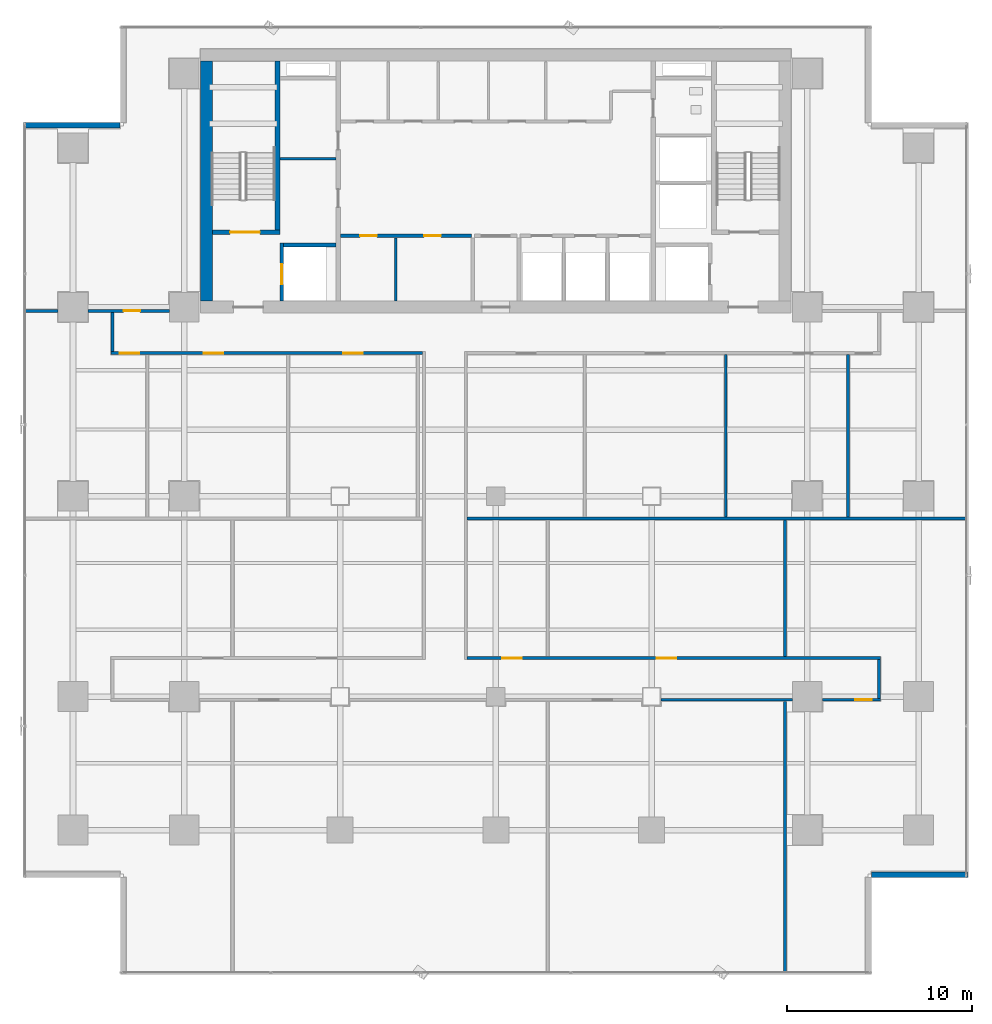
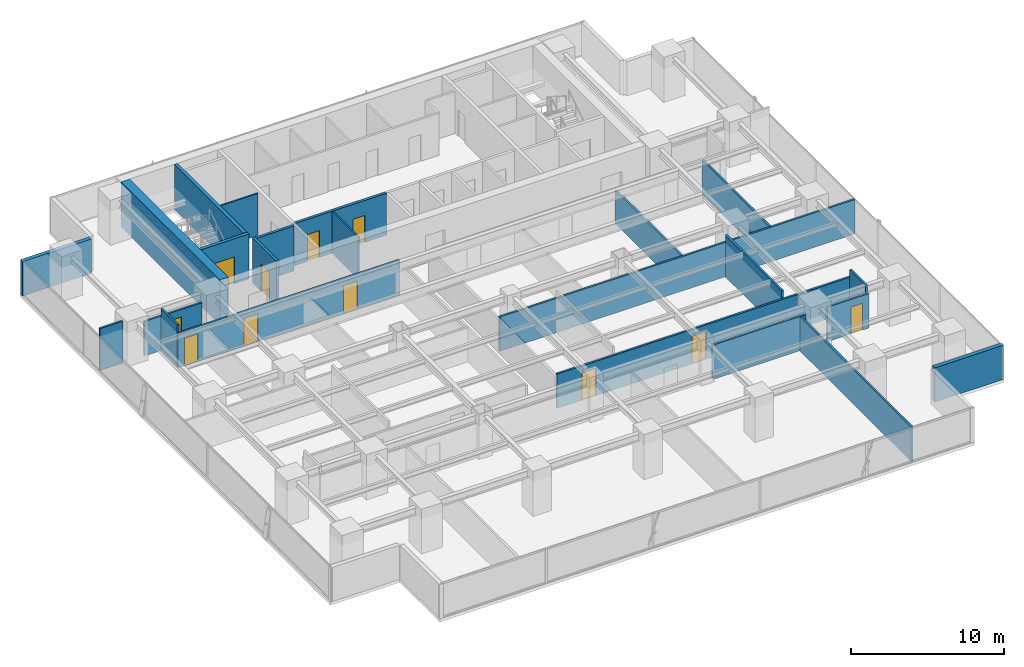
# One storey, part 28 of 37: 23 walls, 11 doors, 11 openings.
"""IFC4 building model written with IfcOpenShell, lengths in metres."""

from ifc_helpers import new_model, si_unit, direction, frame, frame_2d, origin, place, context, subcontext, project, spatial, rectangle, extrude, source, transform, mapped, material, layer, layer_set, type_object, element, fill, save


model = new_model("IFC4")

# Units and contexts
model_context = context("Model", 3, precision=1e-05, world=origin(), true_north=direction((0.0, 1.0)))
body_context = subcontext(model_context, "Body", "Model", "MODEL_VIEW")
ifc_project = project(units=[si_unit("LENGTHUNIT", "METRE"), si_unit("AREAUNIT", "SQUARE_METRE"), si_unit("VOLUMEUNIT", "CUBIC_METRE"), si_unit("PLANEANGLEUNIT", "RADIAN"), si_unit("MASSUNIT", "GRAM", prefix="KILO")], contexts=[model_context])

# Site, building, storey
site_placement = place(None, origin())
site = spatial("IfcSite", under=ifc_project, at=site_placement, CompositionType="ELEMENT")
building_placement = place(site_placement, origin())
building = spatial("IfcBuilding", under=site, at=building_placement, Name="Sumidabori Civic Tower", CompositionType="ELEMENT")
storey_placement = place(building_placement, frame((0.0, 0.0, 95.60009765625)))
storey = spatial("IfcBuildingStorey", under=building, at=storey_placement, Name="L24", CompositionType="ELEMENT", Elevation=95.60009765625)

# Walls
ifc_material_1 = material(Name="Concrete C50/60", Category="concrete")
ifc_layer_1 = layer(ifc_material_1, 0.199951171875, Name="Concrete C50/60")
ifc_layer_set_1 = layer_set([ifc_layer_1], Name="Concrete C50/60")
wall_type_1 = type_object("IfcWallType", Name="WL-SHAFT-200", PredefinedType="SHEAR", material=ifc_layer_set_1)
shared_shape_1 = source(origin(), body_context, "Body", "SweptSolid", [
    extrude(rectangle(XDim=2.824951171875, YDim=0.199951171875, at=frame_2d((1.41259765625, 0.0))), origin(), (0.0, 0.0, 1.0), 3.599853515625),
])
wall_1_placement = place(storey_placement, frame((-11.449951171875, 13.550048828125, 0.0), z_axis=(0.0, 0.0, 1.0), x_axis=(1.0, 0.0, 0.0)))
element("IfcWall", 1, at=wall_1_placement, inside=storey, type_object=wall_type_1, Name="Core Shear Wall L24 EL1-N", PredefinedType="SHEAR", context=body_context, shape_type="MappedRepresentation", body=[
    mapped(shared_shape_1, transform((0.0, 0.0, 0.0), x_axis=(1.0, 0.0, 0.0), y_axis=(0.0, 1.0, 0.0), z_axis=(0.0, 0.0, 1.0), scale=1.0)),
])
ifc_material_2 = material(Name="Concrete C60/75", Category="concrete")
ifc_layer_2 = layer(ifc_material_2, 0.64990234375, Name="Concrete C60/75")
ifc_layer_set_2 = layer_set([ifc_layer_2], Name="Concrete C60/75")
wall_type_2 = type_object("IfcWallType", Name="WL-CORE-650", PredefinedType="SHEAR", material=ifc_layer_set_2)
shared_shape_2 = source(origin(), body_context, "Body", "SweptSolid", [
    extrude(rectangle(XDim=12.9501953125, YDim=0.64990234375, at=frame_2d((6.47509765625, 0.0))), origin(), (0.0, 0.0, 1.0), 3.599853515625),
])
wall_2_placement = place(storey_placement, frame((-15.60009765625, 10.52490234375, 0.0), z_axis=(0.0, 0.0, 1.0), x_axis=(0.0, 1.0, 0.0)))
element("IfcWall", 2, at=wall_2_placement, inside=storey, type_object=wall_type_2, Name="Core Shear Wall L24 W", PredefinedType="SHEAR", context=body_context, shape_type="MappedRepresentation", body=[
    mapped(shared_shape_2, transform((0.0, 0.0, 0.0), x_axis=(1.0, 0.0, 0.0), y_axis=(0.0, 1.0, 0.0), z_axis=(0.0, 0.0, 1.0), scale=1.0)),
])

# Wall, opening, door
ifc_layer_3 = layer(ifc_material_1, 0.25, Name="Concrete C50/60")
ifc_layer_set_3 = layer_set([ifc_layer_3], Name="Concrete C50/60")
wall_type_3 = type_object("IfcWallType", Name="WL-SHAFT-250", PredefinedType="SHEAR", material=ifc_layer_set_3)
shared_shape_3 = source(origin(), body_context, "Body", "SweptSolid", [
    extrude(rectangle(XDim=3.6298828125, YDim=0.25, at=frame_2d((1.81494140625, 0.0))), origin(), (0.0, 0.0, 1.0), 3.599853515625),
])
wall_3_placement = place(storey_placement, frame((-15.27490234375, 14.25, 0.0), z_axis=(0.0, 0.0, 1.0), x_axis=(1.0, 0.0, 0.0)))
wall_3 = element("IfcWall", 3, at=wall_3_placement, inside=storey, type_object=wall_type_3, Name="Core Shear Wall L24 ST1-S", PredefinedType="SHEAR", context=body_context, shape_type="MappedRepresentation", body=[
    mapped(shared_shape_3, transform((0.0, 0.0, 0.0), x_axis=(1.0, 0.0, 0.0), y_axis=(0.0, 1.0, 0.0), z_axis=(0.0, 0.0, 1.0), scale=1.0)),
])
opening_1_placement = place(wall_3_placement, frame((0.949951171875, 0.0, 0.0)))
opening_1 = element("IfcOpeningElement", 4, at=opening_1_placement, cuts=wall_3, Name="Opening DR-FD4", PredefinedType="OPENING", context=body_context, shape_type="SweptSolid", body=[
    extrude(rectangle(XDim=1.60009765625, YDim=2.14990234375, at=frame_2d((0.800048828125, 1.074951171875))), frame((0.0, 0.136962890625, 0.0), z_axis=(0.0, -1.0, 0.0), x_axis=(1.0, 0.0, 0.0)), (0.0, 0.0, 1.0), 0.27392578125),
])
ifc_material_3 = material(Name="Steel SN490", Category="steel")
door_type_1 = type_object("IfcDoorType", Name="DR-FD4", OperationType="DOUBLE_DOOR_SINGLE_SWING", PredefinedType="DOOR", material=ifc_material_3)
shared_shape_4 = source(origin(), body_context, "Body", "SweptSolid", [
    extrude(rectangle(XDim=1.60009765625, YDim=2.14990234375, at=frame_2d((0.800048828125, 1.074951171875))), frame((0.0, 0.02490234375, 0.0), z_axis=(0.0, -1.0, 0.0), x_axis=(1.0, 0.0, 0.0)), (0.0, 0.0, 1.0), 0.050048828125),
])
door_1_placement = place(opening_1_placement, origin())
door_1 = element("IfcDoor", 5, at=door_1_placement, inside=storey, type_object=door_type_1, Name="Door DR:L24:ST1", OperationType="DOUBLE_DOOR_SINGLE_SWING", OverallHeight=2.14990234375, OverallWidth=1.60009765625, PredefinedType="DOOR", context=body_context, shape_type="MappedRepresentation", body=[
    mapped(shared_shape_4, transform((0.0, 0.0, 0.0), x_axis=(1.0, 0.0, 0.0), y_axis=(0.0, 1.0, 0.0), z_axis=(0.0, 0.0, 1.0), scale=1.0)),
])
fill(opening_1, door_1)

# Wall
shared_shape_5 = source(origin(), body_context, "Body", "SweptSolid", [
    extrude(rectangle(XDim=9.10009765625, YDim=0.25, at=frame_2d((4.550048828125, 0.0))), origin(), (0.0, 0.0, 1.0), 3.599853515625),
])
wall_4_placement = place(storey_placement, frame((-11.77001953125, 14.375, 0.0), z_axis=(0.0, 0.0, 1.0), x_axis=(0.0, 1.0, 0.0)))
element("IfcWall", 6, at=wall_4_placement, inside=storey, type_object=wall_type_3, Name="Core Shear Wall L24 ST1-E", PredefinedType="SHEAR", context=body_context, shape_type="MappedRepresentation", body=[
    mapped(shared_shape_5, transform((0.0, 0.0, 0.0), x_axis=(1.0, 0.0, 0.0), y_axis=(0.0, 1.0, 0.0), z_axis=(0.0, 0.0, 1.0), scale=1.0)),
])

# Wall, opening, door
shared_shape_6 = source(origin(), body_context, "Body", "SweptSolid", [
    extrude(rectangle(XDim=3.125, YDim=0.199951171875, at=frame_2d((1.5625, 0.0))), origin(), (0.0, 0.0, 1.0), 3.599853515625),
])
wall_5_placement = place(storey_placement, frame((-11.550048828125, 10.52490234375, 0.0), z_axis=(0.0, 0.0, 1.0), x_axis=(0.0, 1.0, 0.0)))
wall_5 = element("IfcWall", 7, at=wall_5_placement, inside=storey, type_object=wall_type_1, Name="Core Shear Wall L24 EL1-W", PredefinedType="SHEAR", context=body_context, shape_type="MappedRepresentation", body=[
    mapped(shared_shape_6, transform((0.0, 0.0, 0.0), x_axis=(1.0, 0.0, 0.0), y_axis=(0.0, 1.0, 0.0), z_axis=(0.0, 0.0, 1.0), scale=1.0)),
])
opening_2_placement = place(wall_5_placement, frame((0.89990234375, 0.0, 0.0)))
opening_2 = element("IfcOpeningElement", 8, at=opening_2_placement, cuts=wall_5, Name="Opening LD-2", PredefinedType="OPENING", context=body_context, shape_type="SweptSolid", body=[
    extrude(rectangle(XDim=1.10009765625, YDim=2.14990234375, at=frame_2d((0.550048828125, 1.074951171875))), frame((0.0, 0.11181640625, 0.0), z_axis=(0.0, -1.0, 0.0), x_axis=(1.0, 0.0, 0.0)), (0.0, 0.0, 1.0), 0.223876953125),
])
ifc_material_4 = material(Name="Stainless Steel Hairline Finish", Category="steel")
door_type_2 = type_object("IfcDoorType", Name="DR-LD2", OperationType="DOUBLE_DOOR_SLIDING", PredefinedType="DOOR", material=ifc_material_4)
shared_shape_7 = source(origin(), body_context, "Body", "SweptSolid", [
    extrude(rectangle(XDim=1.10009765625, YDim=2.14990234375, at=frame_2d((0.550048828125, 1.074951171875))), frame((0.0, 0.02490234375, 0.0), z_axis=(0.0, -1.0, 0.0), x_axis=(1.0, 0.0, 0.0)), (0.0, 0.0, 1.0), 0.050048828125),
])
door_2_placement = place(opening_2_placement, origin())
door_2 = element("IfcDoor", 9, at=door_2_placement, inside=storey, type_object=door_type_2, Name="Door DR:L24:LD-EL1", OperationType="DOUBLE_DOOR_SLIDING", OverallHeight=2.14990234375, OverallWidth=1.10009765625, PredefinedType="DOOR", context=body_context, shape_type="MappedRepresentation", body=[
    mapped(shared_shape_7, transform((0.0, 0.0, 0.0), x_axis=(1.0, 0.0, 0.0), y_axis=(0.0, 1.0, 0.0), z_axis=(0.0, 0.0, 1.0), scale=1.0)),
])
fill(opening_2, door_2)

# Walls
ifc_material_5 = material(Name="Precast concrete C40/50", Category="concrete")
ifc_layer_4 = layer(ifc_material_5, 0.300048828125, Name="Precast concrete C40/50")
ifc_layer_set_4 = layer_set([ifc_layer_4], Name="Precast concrete C40/50")
wall_type_4 = type_object("IfcWallType", Name="WL-EXT-POD300", PredefinedType="STANDARD", material=ifc_layer_set_4)
shared_shape_8 = source(origin(), body_context, "Body", "SweptSolid", [
    extrude(rectangle(XDim=5.2099609375, YDim=0.300048828125, at=frame_2d((2.60498046875, 0.0))), origin(), (0.0, 0.0, 1.0), 2.739990234375),
])
for number, where, z_axis, x_axis, name in (
    (10, (20.27001953125, -20.39990234375, 0.0), (0.0, 0.0, 1.0), (1.0, 0.0, 0.0), "Notched Corner Spandrel Band L24-03"),
    (11, (-20.27001953125, 20.0, 0.0), (0.0, 0.0, 1.0), (-1.0, 0.0, 0.0), "Notched Corner Spandrel Band L24-09"),
):
    element("IfcWall", number, at=place(storey_placement, frame(where, z_axis=z_axis, x_axis=x_axis)), inside=storey, type_object=wall_type_4, Name=name, PredefinedType="STANDARD", context=body_context, shape_type="MappedRepresentation", body=[
        mapped(shared_shape_8, transform((0.0, 0.0, 0.0), x_axis=(1.0, 0.0, 0.0), y_axis=(0.0, 1.0, 0.0), z_axis=(0.0, 0.0, 1.0), scale=1.0)),
    ])

# Wall, openings, doors
ifc_material_6 = material(Name="Gypsum Plasterboard Fire Partition")
ifc_layer_5 = layer(ifc_material_6, 0.199951171875, Name="Gypsum Plasterboard Fire Partition")
ifc_layer_set_5 = layer_set([ifc_layer_5], Name="Gypsum Plasterboard Fire Partition")
wall_type_5 = type_object("IfcWallType", Name="WL-PART-FIRE", PredefinedType="PARTITIONING", material=ifc_layer_set_5)
shared_shape_9 = source(origin(), body_context, "Body", "SweptSolid", [
    extrude(rectangle(XDim=7.070068359375, YDim=0.199951171875, at=frame_2d((3.53515625, 0.0))), origin(), (0.0, 0.0, 1.0), 3.35986328125),
])
wall_6_placement = place(storey_placement, frame((-8.3701171875, 14.050048828125, 0.0), z_axis=(0.0, 0.0, 1.0), x_axis=(1.0, 0.0, 0.0)))
wall_6 = element("IfcWall", 12, at=wall_6_placement, inside=storey, type_object=wall_type_5, Name="Interior Partition WL:L24:CBAND-SW", PredefinedType="PARTITIONING", context=body_context, shape_type="MappedRepresentation", body=[
    mapped(shared_shape_9, transform((0.0, 0.0, 0.0), x_axis=(1.0, 0.0, 0.0), y_axis=(0.0, 1.0, 0.0), z_axis=(0.0, 0.0, 1.0), scale=1.0)),
])
opening_3_placement = place(wall_6_placement, frame((1.06005859375, 0.0, 0.0)))
opening_3 = element("IfcOpeningElement", 13, at=opening_3_placement, cuts=wall_6, Name="Opening DR-1", PredefinedType="OPENING", context=body_context, shape_type="SweptSolid", body=[
    extrude(rectangle(XDim=0.89990234375, YDim=2.14990234375, at=frame_2d((0.449951171875, 1.074951171875))), frame((0.0, 0.11181640625, 0.0), z_axis=(0.0, -1.0, 0.0), x_axis=(1.0, 0.0, 0.0)), (0.0, 0.0, 1.0), 0.223876953125),
])
opening_4_placement = place(wall_6_placement, frame((4.510009765625, 0.0, 0.0)))
opening_4 = element("IfcOpeningElement", 14, at=opening_4_placement, cuts=wall_6, Name="Opening DR-1", PredefinedType="OPENING", context=body_context, shape_type="SweptSolid", body=[
    extrude(rectangle(XDim=0.89990234375, YDim=2.14990234375, at=frame_2d((0.449951171875, 1.074951171875))), frame((0.0, 0.11181640625, 0.0), z_axis=(0.0, -1.0, 0.0), x_axis=(1.0, 0.0, 0.0)), (0.0, 0.0, 1.0), 0.223876953125),
])
ifc_material_7 = material(Name="Japanese Hinoki Timber", Category="wood")
door_type_3 = type_object("IfcDoorType", Name="DR-INT-900", OperationType="NOTDEFINED", PredefinedType="DOOR", material=ifc_material_7)
shared_shape_10 = source(origin(), body_context, "Body", "SweptSolid", [
    extrude(rectangle(XDim=0.89990234375, YDim=2.14990234375, at=frame_2d((0.449951171875, 1.074951171875))), frame((0.0, 0.02490234375, 0.0), z_axis=(0.0, -1.0, 0.0), x_axis=(1.0, 0.0, 0.0)), (0.0, 0.0, 1.0), 0.050048828125),
])
door_3_placement = place(opening_3_placement, origin())
door_3 = element("IfcDoor", 15, at=door_3_placement, inside=storey, type_object=door_type_3, Name="Door DR:L24:REC-B1A", OperationType="SINGLE_SWING_LEFT", OverallHeight=2.14990234375, OverallWidth=0.89990234375, PredefinedType="DOOR", context=body_context, shape_type="MappedRepresentation", body=[
    mapped(shared_shape_10, transform((0.0, 0.0, 0.0), x_axis=(1.0, 0.0, 0.0), y_axis=(0.0, 1.0, 0.0), z_axis=(0.0, 0.0, 1.0), scale=1.0)),
])
fill(opening_3, door_3)
door_4_placement = place(opening_4_placement, origin())
door_4 = element("IfcDoor", 16, at=door_4_placement, inside=storey, type_object=door_type_3, Name="Door DR:L24:REC-B1B", OperationType="SINGLE_SWING_RIGHT", OverallHeight=2.14990234375, OverallWidth=0.89990234375, PredefinedType="DOOR", context=body_context, shape_type="MappedRepresentation", body=[
    mapped(shared_shape_10, transform((0.0, 0.0, 0.0), x_axis=(1.0, 0.0, 0.0), y_axis=(0.0, 1.0, 0.0), z_axis=(0.0, 0.0, 1.0), scale=1.0)),
])
fill(opening_4, door_4)

# Walls
ifc_material_8 = material(Name="Gypsum Plasterboard Acoustic Partition")
ifc_layer_6 = layer(ifc_material_8, 0.1201171875, Name="Gypsum Plasterboard Acoustic Partition")
ifc_layer_set_6 = layer_set([ifc_layer_6], Name="Gypsum Plasterboard Acoustic Partition")
wall_type_6 = type_object("IfcWallType", Name="WL-PART-120", PredefinedType="PARTITIONING", material=ifc_layer_set_6)
shared_shape_11 = source(origin(), body_context, "Body", "SweptSolid", [
    extrude(rectangle(XDim=3.010009765625, YDim=0.1201171875, at=frame_2d((1.5048828125, 0.0))), origin(), (0.0, 0.0, 1.0), 3.35986328125),
])
wall_7_placement = place(storey_placement, frame((-11.639892578125, 18.199951171875, 0.0), z_axis=(0.0, 0.0, 1.0), x_axis=(1.0, 0.0, 0.0)))
element("IfcWall", 17, at=wall_7_placement, inside=storey, type_object=wall_type_6, Name="Interior Partition WL:L24:CW-MID", PredefinedType="PARTITIONING", context=body_context, shape_type="MappedRepresentation", body=[
    mapped(shared_shape_11, transform((0.0, 0.0, 0.0), x_axis=(1.0, 0.0, 0.0), y_axis=(0.0, 1.0, 0.0), z_axis=(0.0, 0.0, 1.0), scale=1.0)),
])
ifc_layer_7 = layer(ifc_material_8, 0.14990234375, Name="Gypsum Plasterboard Acoustic Partition")
ifc_layer_set_7 = layer_set([ifc_layer_7], Name="Gypsum Plasterboard Acoustic Partition")
wall_type_7 = type_object("IfcWallType", Name="WL-PART-150", PredefinedType="PARTITIONING", material=ifc_layer_set_7)
shared_shape_12 = source(origin(), body_context, "Body", "SweptSolid", [
    extrude(rectangle(XDim=8.76513671875, YDim=0.14990234375, at=frame_2d((4.382568359375, 0.0))), origin(), (0.0, 0.0, 1.0), 2.64501953125),
])
wall_8_placement = place(storey_placement, frame((12.39990234375, -1.1201171875, 0.0), z_axis=(0.0, 0.0, 1.0), x_axis=(0.0, 1.0, 0.0)))
element("IfcWall", 18, at=wall_8_placement, inside=storey, type_object=wall_type_7, Name="Interior Partition WL:L24:VX-N5", PredefinedType="PARTITIONING", context=body_context, shape_type="MappedRepresentation", body=[
    mapped(shared_shape_12, transform((0.0, 0.0, 0.0), x_axis=(1.0, 0.0, 0.0), y_axis=(0.0, 1.0, 0.0), z_axis=(0.0, 0.0, 1.0), scale=1.0)),
])
shared_shape_13 = source(origin(), body_context, "Body", "SweptSolid", [
    extrude(rectangle(XDim=3.4150390625, YDim=0.1201171875, at=frame_2d((1.70751953125, 0.0))), origin(), (0.0, 0.0, 1.0), 3.35986328125),
])
wall_9_placement = place(storey_placement, frame((-5.39990234375, 10.52490234375, 0.0), z_axis=(0.0, 0.0, 1.0), x_axis=(0.0, 1.0, 0.0)))
element("IfcWall", 19, at=wall_9_placement, inside=storey, type_object=wall_type_6, Name="Interior Partition WL:L24:REC-B1-SP", PredefinedType="PARTITIONING", context=body_context, shape_type="MappedRepresentation", body=[
    mapped(shared_shape_13, transform((0.0, 0.0, 0.0), x_axis=(1.0, 0.0, 0.0), y_axis=(0.0, 1.0, 0.0), z_axis=(0.0, 0.0, 1.0), scale=1.0)),
])
shared_shape_14 = source(origin(), body_context, "Body", "SweptSolid", [
    extrude(rectangle(XDim=1.739990234375, YDim=0.14990234375, at=frame_2d((0.8701171875, 0.0))), origin(), (0.0, 0.0, 1.0), 3.35986328125),
])
wall_10_placement = place(storey_placement, frame((-25.35009765625, 10.0, 0.0), z_axis=(0.0, 0.0, 1.0), x_axis=(1.0, 0.0, 0.0)))
element("IfcWall", 20, at=wall_10_placement, inside=storey, type_object=wall_type_7, Name="Interior Partition WL:L24:FLK-NW-1", PredefinedType="PARTITIONING", context=body_context, shape_type="MappedRepresentation", body=[
    mapped(shared_shape_14, transform((0.0, 0.0, 0.0), x_axis=(1.0, 0.0, 0.0), y_axis=(0.0, 1.0, 0.0), z_axis=(0.0, 0.0, 1.0), scale=1.0)),
])

# Wall, opening, door
shared_shape_15 = source(origin(), body_context, "Body", "SweptSolid", [
    extrude(rectangle(XDim=4.3798828125, YDim=0.14990234375, at=frame_2d((2.18994140625, 0.0))), origin(), (0.0, 0.0, 1.0), 2.744873046875),
])
wall_11_placement = place(storey_placement, frame((-21.989990234375, 10.0, 0.0), z_axis=(0.0, 0.0, 1.0), x_axis=(1.0, 0.0, 0.0)))
wall_11 = element("IfcWall", 21, at=wall_11_placement, inside=storey, type_object=wall_type_7, Name="Interior Partition WL:L24:FLK-NW-2", PredefinedType="PARTITIONING", context=body_context, shape_type="MappedRepresentation", body=[
    mapped(shared_shape_15, transform((0.0, 0.0, 0.0), x_axis=(1.0, 0.0, 0.0), y_axis=(0.0, 1.0, 0.0), z_axis=(0.0, 0.0, 1.0), scale=1.0)),
])
opening_5_placement = place(wall_11_placement, frame((1.9150390625, 0.0, 0.0)))
opening_5 = element("IfcOpeningElement", 22, at=opening_5_placement, cuts=wall_11, Name="Opening DR-1", PredefinedType="OPENING", context=body_context, shape_type="SweptSolid", body=[
    extrude(rectangle(XDim=0.89990234375, YDim=2.14990234375, at=frame_2d((0.449951171875, 1.074951171875))), frame((0.0, 0.0869140625, 0.0), z_axis=(0.0, -1.0, 0.0), x_axis=(1.0, 0.0, 0.0)), (0.0, 0.0, 1.0), 0.173828125),
])
door_5_placement = place(opening_5_placement, origin())
door_5 = element("IfcDoor", 23, at=door_5_placement, inside=storey, type_object=door_type_3, Name="Door DR:L24:FLK-NE", OperationType="SINGLE_SWING_LEFT", OverallHeight=2.14990234375, OverallWidth=0.89990234375, PredefinedType="DOOR", context=body_context, shape_type="MappedRepresentation", body=[
    mapped(shared_shape_10, transform((0.0, 0.0, 0.0), x_axis=(1.0, 0.0, 0.0), y_axis=(0.0, 1.0, 0.0), z_axis=(0.0, 0.0, 1.0), scale=1.0)),
])
fill(opening_5, door_5)

# Wall, openings, doors
shared_shape_16 = source(origin(), body_context, "Body", "SweptSolid", [
    extrude(rectangle(XDim=16.800048828125, YDim=0.14990234375, at=frame_2d((8.39990234375, 0.0))), origin(), (0.0, 0.0, 1.0), 2.744873046875),
])
wall_12_placement = place(storey_placement, frame((-20.75, 7.72509765625, 0.0), z_axis=(0.0, 0.0, 1.0), x_axis=(1.0, 0.0, 0.0)))
wall_12 = element("IfcWall", 24, at=wall_12_placement, inside=storey, type_object=wall_type_7, Name="Interior Partition WL:L24:CORR-SW", PredefinedType="PARTITIONING", context=body_context, shape_type="MappedRepresentation", body=[
    mapped(shared_shape_16, transform((0.0, 0.0, 0.0), x_axis=(1.0, 0.0, 0.0), y_axis=(0.0, 1.0, 0.0), z_axis=(0.0, 0.0, 1.0), scale=1.0)),
])
opening_6_placement = place(wall_12_placement, frame((0.4775390625, 0.0, 0.0)))
opening_6 = element("IfcOpeningElement", 25, at=opening_6_placement, cuts=wall_12, Name="Opening DR-4", PredefinedType="OPENING", context=body_context, shape_type="SweptSolid", body=[
    extrude(rectangle(XDim=1.0400390625, YDim=2.199951171875, at=frame_2d((0.52001953125, 1.10009765625))), frame((0.0, 0.0869140625, 0.0), z_axis=(0.0, -1.0, 0.0), x_axis=(1.0, 0.0, 0.0)), (0.0, 0.0, 1.0), 0.173828125),
])
opening_7_placement = place(wall_12_placement, frame((5.010009765625, 0.0, 0.0)))
opening_7 = element("IfcOpeningElement", 26, at=opening_7_placement, cuts=wall_12, Name="Opening DR-4", PredefinedType="OPENING", context=body_context, shape_type="SweptSolid", body=[
    extrude(rectangle(XDim=1.0400390625, YDim=2.199951171875, at=frame_2d((0.52001953125, 1.10009765625))), frame((0.0, 0.0869140625, 0.0), z_axis=(0.0, -1.0, 0.0), x_axis=(1.0, 0.0, 0.0)), (0.0, 0.0, 1.0), 0.173828125),
])
opening_8_placement = place(wall_12_placement, frame((12.530029296875, 0.0, 0.0)))
opening_8 = element("IfcOpeningElement", 27, at=opening_8_placement, cuts=wall_12, Name="Opening DR-4", PredefinedType="OPENING", context=body_context, shape_type="SweptSolid", body=[
    extrude(rectangle(XDim=1.0400390625, YDim=2.199951171875, at=frame_2d((0.52001953125, 1.10009765625))), frame((0.0, 0.0869140625, 0.0), z_axis=(0.0, -1.0, 0.0), x_axis=(1.0, 0.0, 0.0)), (0.0, 0.0, 1.0), 0.173828125),
])
door_type_4 = type_object("IfcDoorType", Name="DR-INT-1040", OperationType="NOTDEFINED", PredefinedType="DOOR", material=ifc_material_7)
shared_shape_17 = source(origin(), body_context, "Body", "SweptSolid", [
    extrude(rectangle(XDim=1.0400390625, YDim=2.199951171875, at=frame_2d((0.52001953125, 1.10009765625))), frame((0.0, 0.02490234375, 0.0), z_axis=(0.0, -1.0, 0.0), x_axis=(1.0, 0.0, 0.0)), (0.0, 0.0, 1.0), 0.050048828125),
])
door_6_placement = place(opening_6_placement, origin())
door_6 = element("IfcDoor", 28, at=door_6_placement, inside=storey, type_object=door_type_4, Name="Door DR:L24:D02", OperationType="SINGLE_SWING_RIGHT", OverallHeight=2.199951171875, OverallWidth=1.0400390625, PredefinedType="DOOR", context=body_context, shape_type="MappedRepresentation", body=[
    mapped(shared_shape_17, transform((0.0, 0.0, 0.0), x_axis=(1.0, 0.0, 0.0), y_axis=(0.0, 1.0, 0.0), z_axis=(0.0, 0.0, 1.0), scale=1.0)),
])
fill(opening_6, door_6)
door_7_placement = place(opening_7_placement, origin())
door_7 = element("IfcDoor", 29, at=door_7_placement, inside=storey, type_object=door_type_4, Name="Door DR:L24:D05", OperationType="SINGLE_SWING_LEFT", OverallHeight=2.199951171875, OverallWidth=1.0400390625, PredefinedType="DOOR", context=body_context, shape_type="MappedRepresentation", body=[
    mapped(shared_shape_17, transform((0.0, 0.0, 0.0), x_axis=(1.0, 0.0, 0.0), y_axis=(0.0, 1.0, 0.0), z_axis=(0.0, 0.0, 1.0), scale=1.0)),
])
fill(opening_7, door_7)
door_8_placement = place(opening_8_placement, origin())
door_8 = element("IfcDoor", 30, at=door_8_placement, inside=storey, type_object=door_type_4, Name="Door DR:L24:D06", OperationType="SINGLE_SWING_RIGHT", OverallHeight=2.199951171875, OverallWidth=1.0400390625, PredefinedType="DOOR", context=body_context, shape_type="MappedRepresentation", body=[
    mapped(shared_shape_17, transform((0.0, 0.0, 0.0), x_axis=(1.0, 0.0, 0.0), y_axis=(0.0, 1.0, 0.0), z_axis=(0.0, 0.0, 1.0), scale=1.0)),
])
fill(opening_8, door_8)

shared_shape_18 = source(origin(), body_context, "Body", "SweptSolid", [
    extrude(rectangle(XDim=22.300048828125, YDim=0.14990234375, at=frame_2d((11.14990234375, 0.0))), origin(), (0.0, 0.0, 1.0), 2.744873046875),
])
wall_13_placement = place(storey_placement, frame((-1.550048828125, -8.72509765625, 0.0), z_axis=(0.0, 0.0, 1.0), x_axis=(1.0, 0.0, 0.0)))
wall_13 = element("IfcWall", 31, at=wall_13_placement, inside=storey, type_object=wall_type_7, Name="Interior Partition WL:L24:CORR-MNE", PredefinedType="PARTITIONING", context=body_context, shape_type="MappedRepresentation", body=[
    mapped(shared_shape_18, transform((0.0, 0.0, 0.0), x_axis=(1.0, 0.0, 0.0), y_axis=(0.0, 1.0, 0.0), z_axis=(0.0, 0.0, 1.0), scale=1.0)),
])
opening_9_placement = place(wall_13_placement, frame((1.8974609375, 0.0, 0.0)))
opening_9 = element("IfcOpeningElement", 32, at=opening_9_placement, cuts=wall_13, Name="Opening DR-4", PredefinedType="OPENING", context=body_context, shape_type="SweptSolid", body=[
    extrude(rectangle(XDim=1.0400390625, YDim=2.199951171875, at=frame_2d((0.52001953125, 1.10009765625))), frame((0.0, 0.0869140625, 0.0), z_axis=(0.0, -1.0, 0.0), x_axis=(1.0, 0.0, 0.0)), (0.0, 0.0, 1.0), 0.173828125),
])
opening_10_placement = place(wall_13_placement, frame((10.22998046875, 0.0, 0.0)))
opening_10 = element("IfcOpeningElement", 33, at=opening_10_placement, cuts=wall_13, Name="Opening DR-4", PredefinedType="OPENING", context=body_context, shape_type="SweptSolid", body=[
    extrude(rectangle(XDim=1.0400390625, YDim=2.199951171875, at=frame_2d((0.52001953125, 1.10009765625))), frame((0.0, 0.0869140625, 0.0), z_axis=(0.0, -1.0, 0.0), x_axis=(1.0, 0.0, 0.0)), (0.0, 0.0, 1.0), 0.173828125),
])
door_9_placement = place(opening_9_placement, origin())
door_9 = element("IfcDoor", 34, at=door_9_placement, inside=storey, type_object=door_type_4, Name="Door DR:L24:D10", OperationType="SINGLE_SWING_RIGHT", OverallHeight=2.199951171875, OverallWidth=1.0400390625, PredefinedType="DOOR", context=body_context, shape_type="MappedRepresentation", body=[
    mapped(shared_shape_17, transform((0.0, 0.0, 0.0), x_axis=(1.0, 0.0, 0.0), y_axis=(0.0, 1.0, 0.0), z_axis=(0.0, 0.0, 1.0), scale=1.0)),
])
fill(opening_9, door_9)
door_10_placement = place(opening_10_placement, origin())
door_10 = element("IfcDoor", 35, at=door_10_placement, inside=storey, type_object=door_type_4, Name="Door DR:L24:D11", OperationType="SINGLE_SWING_LEFT", OverallHeight=2.199951171875, OverallWidth=1.0400390625, PredefinedType="DOOR", context=body_context, shape_type="MappedRepresentation", body=[
    mapped(shared_shape_17, transform((0.0, 0.0, 0.0), x_axis=(1.0, 0.0, 0.0), y_axis=(0.0, 1.0, 0.0), z_axis=(0.0, 0.0, 1.0), scale=1.0)),
])
fill(opening_10, door_10)

# Wall, opening, door
shared_shape_19 = source(origin(), body_context, "Body", "SweptSolid", [
    extrude(rectangle(XDim=3.139892578125, YDim=0.14990234375, at=frame_2d((1.56982421875, 0.0))), origin(), (0.0, 0.0, 1.0), 2.744873046875),
])
wall_14_placement = place(storey_placement, frame((17.610107421875, -10.97509765625, 0.0), z_axis=(0.0, 0.0, 1.0), x_axis=(1.0, 0.0, 0.0)))
wall_14 = element("IfcWall", 36, at=wall_14_placement, inside=storey, type_object=wall_type_7, Name="Interior Partition WL:L24:CORR-SS-6", PredefinedType="PARTITIONING", context=body_context, shape_type="MappedRepresentation", body=[
    mapped(shared_shape_19, transform((0.0, 0.0, 0.0), x_axis=(1.0, 0.0, 0.0), y_axis=(0.0, 1.0, 0.0), z_axis=(0.0, 0.0, 1.0), scale=1.0)),
])
opening_11_placement = place(wall_14_placement, frame((1.780029296875, 0.0, 0.0)))
opening_11 = element("IfcOpeningElement", 37, at=opening_11_placement, cuts=wall_14, Name="Opening DR-1", PredefinedType="OPENING", context=body_context, shape_type="SweptSolid", body=[
    extrude(rectangle(XDim=0.89990234375, YDim=2.14990234375, at=frame_2d((0.449951171875, 1.074951171875))), frame((0.0, 0.0869140625, 0.0), z_axis=(0.0, -1.0, 0.0), x_axis=(1.0, 0.0, 0.0)), (0.0, 0.0, 1.0), 0.173828125),
])
door_11_placement = place(opening_11_placement, origin())
door_11 = element("IfcDoor", 38, at=door_11_placement, inside=storey, type_object=door_type_3, Name="Door DR:L24:D12", OperationType="SINGLE_SWING_RIGHT", OverallHeight=2.14990234375, OverallWidth=0.89990234375, PredefinedType="DOOR", context=body_context, shape_type="MappedRepresentation", body=[
    mapped(shared_shape_10, transform((0.0, 0.0, 0.0), x_axis=(1.0, 0.0, 0.0), y_axis=(0.0, 1.0, 0.0), z_axis=(0.0, 0.0, 1.0), scale=1.0)),
])
fill(opening_11, door_11)

# Walls
shared_shape_20 = source(origin(), body_context, "Body", "SweptSolid", [
    extrude(rectangle(XDim=7.080078125, YDim=0.14990234375, at=frame_2d((3.5400390625, 0.0))), origin(), (0.0, 0.0, 1.0), 2.744873046875),
])
wall_15_placement = place(storey_placement, frame((8.909912109375, -10.97509765625, 0.0), z_axis=(0.0, 0.0, 1.0), x_axis=(1.0, 0.0, 0.0)))
element("IfcWall", 39, at=wall_15_placement, inside=storey, type_object=wall_type_7, Name="Interior Partition WL:L24:CORR-SS-5", PredefinedType="PARTITIONING", context=body_context, shape_type="MappedRepresentation", body=[
    mapped(shared_shape_20, transform((0.0, 0.0, 0.0), x_axis=(1.0, 0.0, 0.0), y_axis=(0.0, 1.0, 0.0), z_axis=(0.0, 0.0, 1.0), scale=1.0)),
])
shared_shape_21 = source(origin(), body_context, "Body", "SweptSolid", [
    extrude(rectangle(XDim=2.114990234375, YDim=0.14990234375, at=frame_2d((1.0576171875, 0.0))), origin(), (0.0, 0.0, 1.0), 3.35986328125),
])
wall_16_placement = place(storey_placement, frame((-20.675048828125, 7.804931640625, 0.0), z_axis=(0.0, 0.0, 1.0), x_axis=(0.0, 1.0, 0.0)))
element("IfcWall", 40, at=wall_16_placement, inside=storey, type_object=wall_type_7, Name="Interior Partition WL:L24:CORR-VNW", PredefinedType="PARTITIONING", context=body_context, shape_type="MappedRepresentation", body=[
    mapped(shared_shape_21, transform((0.0, 0.0, 0.0), x_axis=(1.0, 0.0, 0.0), y_axis=(0.0, 1.0, 0.0), z_axis=(0.0, 0.0, 1.0), scale=1.0)),
])
shared_shape_22 = source(origin(), body_context, "Body", "SweptSolid", [
    extrude(rectangle(XDim=2.090087890625, YDim=0.14990234375, at=frame_2d((1.044921875, 0.0))), origin(), (0.0, 0.0, 1.0), 3.35986328125),
])
wall_17_placement = place(storey_placement, frame((20.675048828125, -10.89501953125, 0.0), z_axis=(0.0, 0.0, 1.0), x_axis=(0.0, 1.0, 0.0)))
element("IfcWall", 41, at=wall_17_placement, inside=storey, type_object=wall_type_7, Name="Interior Partition WL:L24:CORR-VSE", PredefinedType="PARTITIONING", context=body_context, shape_type="MappedRepresentation", body=[
    mapped(shared_shape_22, transform((0.0, 0.0, 0.0), x_axis=(1.0, 0.0, 0.0), y_axis=(0.0, 1.0, 0.0), z_axis=(0.0, 0.0, 1.0), scale=1.0)),
])
shared_shape_23 = source(origin(), body_context, "Body", "SweptSolid", [
    extrude(rectangle(XDim=26.89501953125, YDim=0.14990234375, at=frame_2d((13.447509765625, 0.0))), origin(), (0.0, 0.0, 1.0), 2.744873046875),
])
wall_18_placement = place(storey_placement, frame((-1.544921875, -1.199951171875, 0.0), z_axis=(0.0, 0.0, 1.0), x_axis=(1.0, 0.0, 0.0)))
element("IfcWall", 42, at=wall_18_placement, inside=storey, type_object=wall_type_7, Name="Interior Partition WL:L24:BAND-Y-2", PredefinedType="PARTITIONING", context=body_context, shape_type="MappedRepresentation", body=[
    mapped(shared_shape_23, transform((0.0, 0.0, 0.0), x_axis=(1.0, 0.0, 0.0), y_axis=(0.0, 1.0, 0.0), z_axis=(0.0, 0.0, 1.0), scale=1.0)),
])
shared_shape_24 = source(origin(), body_context, "Body", "SweptSolid", [
    extrude(rectangle(XDim=8.76513671875, YDim=0.14990234375, at=frame_2d((4.382568359375, 0.0))), origin(), (0.0, 0.0, 1.0), 2.744873046875),
])
wall_19_placement = place(storey_placement, frame((19.0, -1.1201171875, 0.0), z_axis=(0.0, 0.0, 1.0), x_axis=(0.0, 1.0, 0.0)))
element("IfcWall", 43, at=wall_19_placement, inside=storey, type_object=wall_type_7, Name="Interior Partition WL:L24:VX-N6", PredefinedType="PARTITIONING", context=body_context, shape_type="MappedRepresentation", body=[
    mapped(shared_shape_24, transform((0.0, 0.0, 0.0), x_axis=(1.0, 0.0, 0.0), y_axis=(0.0, 1.0, 0.0), z_axis=(0.0, 0.0, 1.0), scale=1.0)),
])
shared_shape_25 = source(origin(), body_context, "Body", "SweptSolid", [
    extrude(rectangle(XDim=14.594970703125, YDim=0.14990234375, at=frame_2d((7.29736328125, 0.0))), origin(), (0.0, 0.0, 1.0), 2.744873046875),
])
wall_20_placement = place(storey_placement, frame((15.60009765625, -25.64990234375, 0.0), z_axis=(0.0, 0.0, 1.0), x_axis=(0.0, 1.0, 0.0)))
element("IfcWall", 44, at=wall_20_placement, inside=storey, type_object=wall_type_7, Name="Interior Partition WL:L24:VX-S3-1", PredefinedType="PARTITIONING", context=body_context, shape_type="MappedRepresentation", body=[
    mapped(shared_shape_25, transform((0.0, 0.0, 0.0), x_axis=(1.0, 0.0, 0.0), y_axis=(0.0, 1.0, 0.0), z_axis=(0.0, 0.0, 1.0), scale=1.0)),
])
shared_shape_26 = source(origin(), body_context, "Body", "SweptSolid", [
    extrude(rectangle(XDim=7.364990234375, YDim=0.14990234375, at=frame_2d((3.6826171875, 0.0))), origin(), (0.0, 0.0, 1.0), 3.35986328125),
])
wall_21_placement = place(storey_placement, frame((15.60009765625, -8.64501953125, 0.0), z_axis=(0.0, 0.0, 1.0), x_axis=(0.0, 1.0, 0.0)))
element("IfcWall", 45, at=wall_21_placement, inside=storey, type_object=wall_type_7, Name="Interior Partition WL:L24:VX-S3-2", PredefinedType="PARTITIONING", context=body_context, shape_type="MappedRepresentation", body=[
    mapped(shared_shape_26, transform((0.0, 0.0, 0.0), x_axis=(1.0, 0.0, 0.0), y_axis=(0.0, 1.0, 0.0), z_axis=(0.0, 0.0, 1.0), scale=1.0)),
])

save(model, "model.ifc")
